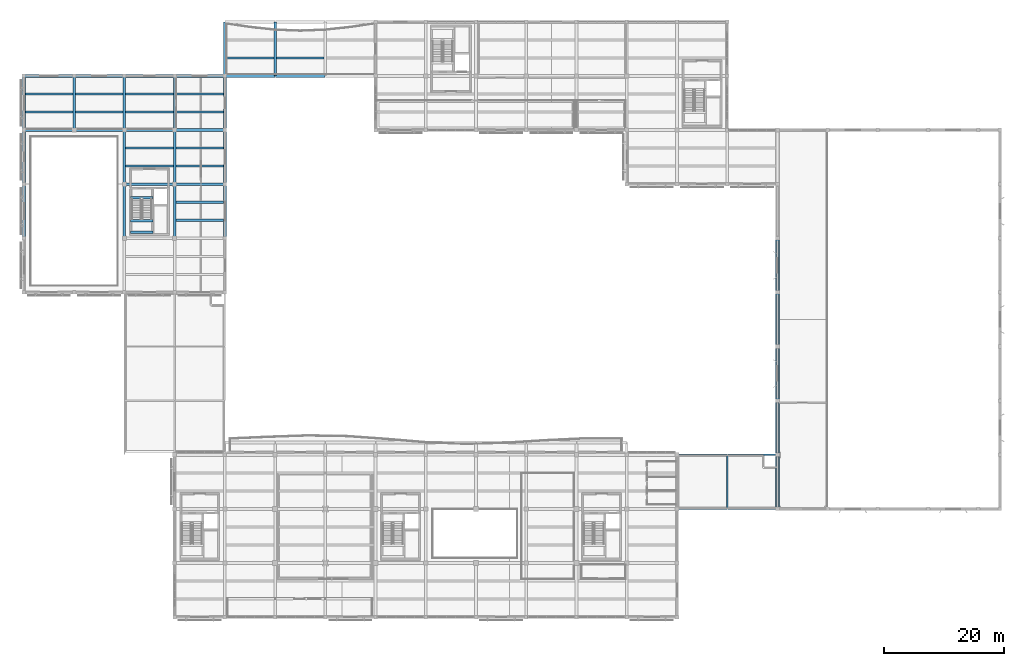
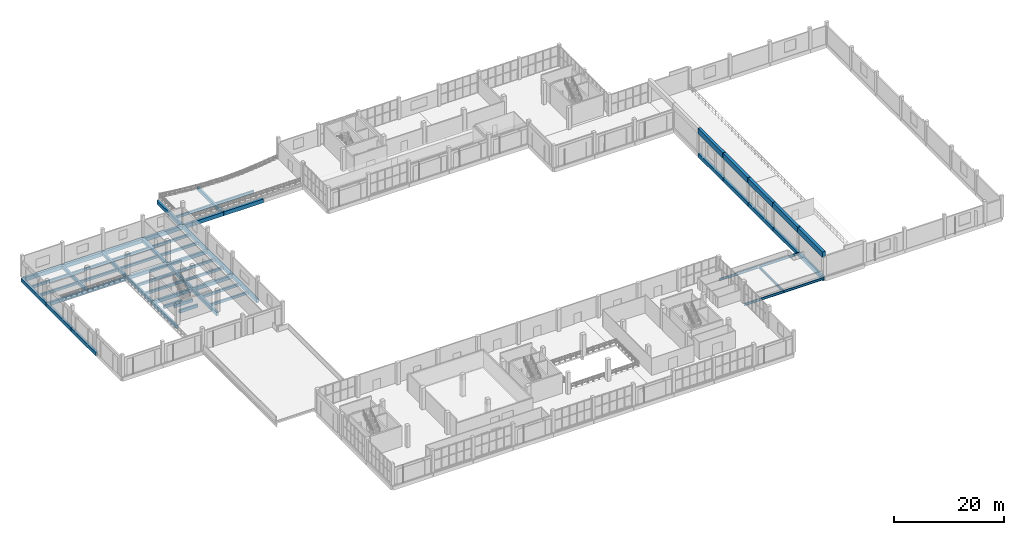
# One storey, part 26 of 80: 61 beams.
"""IFC4 building model written with IfcOpenShell, lengths in metres."""

from ifc_helpers import new_model, si_unit, direction, frame, origin, origin_2d, place, context, subcontext, project, spatial, rectangle, i_section, extrude, material, material_profile, profile_set, type_object, element, save


model = new_model("IFC4")

# Units and contexts
model_context = context("Model", 3, precision=1e-05, world=origin(), true_north=direction((0.0, 1.0)))
body_context = subcontext(model_context, "Body", "Model", "MODEL_VIEW")
ifc_project = project(units=[si_unit("LENGTHUNIT", "METRE"), si_unit("AREAUNIT", "SQUARE_METRE"), si_unit("VOLUMEUNIT", "CUBIC_METRE"), si_unit("PLANEANGLEUNIT", "RADIAN"), si_unit("MASSUNIT", "GRAM", prefix="KILO")], contexts=[model_context])

# Site, building, storey
site_placement = place(None, origin())
site = spatial("IfcSite", under=ifc_project, at=site_placement, CompositionType="ELEMENT")
building_placement = place(site_placement, origin())
building = spatial("IfcBuilding", under=site, at=building_placement, Name="Khurvash Pelagic Aquarium", CompositionType="ELEMENT")
storey_placement = place(building_placement, frame((0.0, 0.0, 10.800048828125)))
storey = spatial("IfcBuildingStorey", under=building, at=storey_placement, Name="L02", CompositionType="ELEMENT", Elevation=10.800048828125)

# Beams
ifc_material_1 = material(Name="Concrete C35/45", Category="concrete")
ifc_material_profile_1 = material_profile(ifc_material_1, rectangle(XDim=0.449951171875, YDim=0.75, at=origin_2d()), Name="RC450X750")
ifc_profile_set_1 = profile_set([ifc_material_profile_1], Name="Concrete C35/45")
beam_type_1 = type_object("IfcBeamType", Name="BM-04", PredefinedType="BEAM", material=ifc_profile_set_1)
beam_1_placement = place(storey_placement, frame((16.840087890625, 75.0, -0.695068359375), z_axis=(1.0, 0.0, 0.0), x_axis=(0.0, 1.0, 0.0)))
element("IfcBeam", 1, at=beam_1_placement, inside=storey, type_object=beam_type_1, Name="L02 Primary Girder BM-04 00607", PredefinedType="BEAM", context=body_context, shape_type="SweptSolid", body=[
    extrude(rectangle(XDim=0.449951171875, YDim=0.75, at=origin_2d()), origin(), (0.0, 0.0, 1.0), 8.31982421875),
])
for number, where, z_axis, x_axis, name in (
    (2, (25.239990234375, 75.0, -0.695068359375), (1.0, 0.0, 0.0), (0.0, 1.0, 0.0), "L02 Primary Girder BM-04 00608"),
    (3, (0.0400390625, 84.050048828125, -0.695068359375), (1.0, 0.0, 0.0), (0.0, 1.0, 0.0), "L02 Primary Girder BM-04 00612"),
    (4, (8.43994140625, 84.050048828125, -0.695068359375), (1.0, 0.0, 0.0), (0.0, 1.0, 0.0), "L02 Primary Girder BM-04 00613"),
):
    element("IfcBeam", number, at=place(storey_placement, frame(where, z_axis=z_axis, x_axis=x_axis)), inside=storey, type_object=beam_type_1, Name=name, PredefinedType="BEAM", context=body_context, shape_type="SweptSolid", body=[
        extrude(rectangle(XDim=0.449951171875, YDim=0.75, at=origin_2d()), origin(), (0.0, 0.0, 1.0), 8.320068359375),
    ])
beam_2_placement = place(storey_placement, frame((16.840087890625, 84.050048828125, -0.695068359375), z_axis=(1.0, 0.0, 0.0), x_axis=(0.0, 1.0, 0.0)))
element("IfcBeam", 5, at=beam_2_placement, inside=storey, type_object=beam_type_1, Name="L02 Primary Girder BM-04 00614", PredefinedType="BEAM", context=body_context, shape_type="SweptSolid", body=[
    extrude(rectangle(XDim=0.449951171875, YDim=0.75, at=origin_2d()), origin(), (0.0, 0.0, 1.0), 8.31982421875),
])
beam_3_placement = place(storey_placement, frame((25.239990234375, 84.050048828125, -0.695068359375), z_axis=(1.0, 0.0, 0.0), x_axis=(0.0, 1.0, 0.0)))
element("IfcBeam", 6, at=beam_3_placement, inside=storey, type_object=beam_type_1, Name="L02 Primary Girder BM-04 00615", PredefinedType="BEAM", context=body_context, shape_type="SweptSolid", body=[
    extrude(rectangle(XDim=0.449951171875, YDim=0.75, at=origin_2d()), origin(), (0.0, 0.0, 1.0), 8.320068359375),
])
for number, where, z_axis, x_axis, name in (
    (7, (8.39990234375, 84.090087890625, -0.675048828125), (0.0, 1.0, 0.0), (-1.0, 0.0, 0.0), "L02 Primary Girder BM-04 00653"),
    (8, (16.800048828125, 65.989990234375, -0.675048828125), (0.0, 1.0, 0.0), (-1.0, 0.0, 0.0), "L02 Primary Girder BM-04 00655"),
    (9, (16.800048828125, 75.0400390625, -0.675048828125), (0.0, 1.0, 0.0), (-1.0, 0.0, 0.0), "L02 Primary Girder BM-04 00656"),
    (10, (16.800048828125, 84.090087890625, -0.675048828125), (0.0, 1.0, 0.0), (-1.0, 0.0, 0.0), "L02 Primary Girder BM-04 00657"),
    (11, (25.199951171875, 65.989990234375, -0.675048828125), (0.0, 1.0, 0.0), (-1.0, 0.0, 0.0), "L02 Primary Girder BM-04 00662"),
    (12, (25.199951171875, 75.0400390625, -0.675048828125), (0.0, 1.0, 0.0), (-1.0, 0.0, 0.0), "L02 Primary Girder BM-04 00663"),
    (13, (25.199951171875, 84.090087890625, -0.675048828125), (0.0, 1.0, 0.0), (-1.0, 0.0, 0.0), "L02 Primary Girder BM-04 00664"),
):
    element("IfcBeam", number, at=place(storey_placement, frame(where, z_axis=z_axis, x_axis=x_axis)), inside=storey, type_object=beam_type_1, Name=name, PredefinedType="BEAM", context=body_context, shape_type="SweptSolid", body=[
        extrude(rectangle(XDim=0.449951171875, YDim=0.75, at=origin_2d()), origin(), (0.0, 0.0, 1.0), 8.969970703125),
    ])
beam_4_placement = place(storey_placement, frame((42.0, 93.139892578125, -0.675048828125), z_axis=(0.0, 1.0, 0.0), x_axis=(-1.0, 0.0, 0.0)))
element("IfcBeam", 14, at=beam_4_placement, inside=storey, type_object=beam_type_1, Name="L02 Primary Girder BM-04 00676", PredefinedType="BEAM", context=body_context, shape_type="SweptSolid", body=[
    extrude(rectangle(XDim=0.449951171875, YDim=0.75, at=origin_2d()), origin(), (0.0, 0.0, 1.0), 8.97021484375),
])
ifc_material_profile_2 = material_profile(ifc_material_1, rectangle(XDim=0.39990234375, YDim=0.64990234375, at=origin_2d()), Name="RC400X650")
ifc_profile_set_2 = profile_set([ifc_material_profile_2], Name="Concrete C35/45")
beam_type_2 = type_object("IfcBeamType", Name="BM-05", PredefinedType="BEAM", material=ifc_profile_set_2)
for number, where, z_axis, x_axis, name in (
    (15, (17.780029296875, 72.72998046875, -0.625), (1.0, 0.0, 0.0), (0.0, 1.0, 0.0), "L02 Stair ST-05 Header Trimmer Beam BM-05"),
    (16, (17.780029296875, 66.969970703125, 1.875), (1.0, 0.0, 0.0), (0.0, 1.0, 0.0), "L02 Stair ST-05 Mid-Landing Trimmer Beam BM-05"),
    (17, (17.780029296875, 68.909912109375, 1.875), (1.0, 0.0, 0.0), (0.0, 1.0, 0.0), "L02 Stair ST-05 Mid-Landing Trimmer Beam BM-05"),
):
    element("IfcBeam", number, at=place(storey_placement, frame(where, z_axis=z_axis, x_axis=x_axis)), inside=storey, type_object=beam_type_2, Name=name, PredefinedType="BEAM", context=body_context, shape_type="SweptSolid", body=[
        extrude(rectangle(XDim=0.39990234375, YDim=0.64990234375, at=origin_2d()), origin(), (0.0, 0.0, 1.0), 3.840087890625),
    ])
ifc_material_2 = material(Name="Steel ASTM A992 Grade 50", Category="steel")
ifc_material_profile_3 = material_profile(ifc_material_2, i_section(OverallWidth=0.214111328125, OverallDepth=0.549072265625, WebThickness=0.0146484375, FlangeThickness=0.023681640625, at=origin_2d()), Name="W21X93")
ifc_profile_set_3 = profile_set([ifc_material_profile_3], Name="Steel ASTM A992 Grade 50")
beam_type_3 = type_object("IfcBeamType", Name="BM-11", PredefinedType="BEAM", material=ifc_profile_set_3)
for number, where, z_axis, x_axis, name in (
    (18, (109.239990234375, 20.699951171875, -0.594482421875), (1.0, 0.0, 0.0), (0.0, 1.0, 0.0), "L02 Roof Girder BM-11 01220"),
    (19, (117.639892578125, 20.699951171875, -0.594482421875), (1.0, 0.0, 0.0), (0.0, 1.0, 0.0), "L02 Roof Girder BM-11 01221"),
    (20, (109.239990234375, 29.75, -0.594482421875), (1.0, 0.0, 0.0), (0.0, 1.0, 0.0), "L02 Roof Girder BM-11 01222"),
    (21, (117.639892578125, 29.75, -0.594482421875), (1.0, 0.0, 0.0), (0.0, 1.0, 0.0), "L02 Roof Girder BM-11 01223"),
):
    element("IfcBeam", number, at=place(storey_placement, frame(where, z_axis=z_axis, x_axis=x_axis)), inside=storey, type_object=beam_type_3, Name=name, PredefinedType="BEAM", context=body_context, shape_type="SweptSolid", body=[
        extrude(i_section(OverallWidth=0.214111328125, OverallDepth=0.549072265625, WebThickness=0.0146484375, FlangeThickness=0.023681640625, at=origin_2d()), origin(), (0.0, 0.0, 1.0), 8.320068359375),
    ])
beam_5_placement = place(storey_placement, frame((117.60009765625, 20.739990234375, -0.594482421875), z_axis=(0.0, 1.0, 0.0), x_axis=(-1.0, 0.0, 0.0)))
element("IfcBeam", 22, at=beam_5_placement, inside=storey, type_object=beam_type_3, Name="L02 Roof Girder BM-11 01236", PredefinedType="BEAM", context=body_context, shape_type="SweptSolid", body=[
    extrude(i_section(OverallWidth=0.214111328125, OverallDepth=0.549072265625, WebThickness=0.0146484375, FlangeThickness=0.023681640625, at=origin_2d()), origin(), (0.0, 0.0, 1.0), 8.969970703125),
])
ifc_material_profile_4 = material_profile(ifc_material_1, rectangle(XDim=0.35009765625, YDim=0.550048828125, at=origin_2d()), Name="RC350X550")
ifc_profile_set_4 = profile_set([ifc_material_profile_4], Name="Concrete C35/45")
beam_type_4 = type_object("IfcBeamType", Name="JS-01", PredefinedType="JOIST", material=ifc_profile_set_4)
for number, where, z_axis, x_axis, name in (
    (23, (0.25, 87.06689453125, -0.574951171875), (1.0, 0.0, 0.0), (0.0, 1.0, 0.0), "L02 Floor Joist JS-01 00727"),
    (24, (0.25, 90.0830078125, -0.574951171875), (1.0, 0.0, 0.0), (0.0, 1.0, 0.0), "L02 Floor Joist JS-01 00728"),
):
    element("IfcBeam", number, at=place(storey_placement, frame(where, z_axis=z_axis, x_axis=x_axis)), inside=storey, type_object=beam_type_4, Name=name, PredefinedType="JOIST", context=body_context, shape_type="SweptSolid", body=[
        extrude(rectangle(XDim=0.35009765625, YDim=0.550048828125, at=origin_2d()), origin(), (0.0, 0.0, 1.0), 7.925048828125),
    ])
for number, where, z_axis, x_axis, name in (
    (25, (8.625, 87.06689453125, -0.574951171875), (1.0, 0.0, 0.0), (0.0, 1.0, 0.0), "L02 Floor Joist JS-01 00729"),
    (26, (8.625, 90.0830078125, -0.574951171875), (1.0, 0.0, 0.0), (0.0, 1.0, 0.0), "L02 Floor Joist JS-01 00730"),
):
    element("IfcBeam", number, at=place(storey_placement, frame(where, z_axis=z_axis, x_axis=x_axis)), inside=storey, type_object=beam_type_4, Name=name, PredefinedType="JOIST", context=body_context, shape_type="SweptSolid", body=[
        extrude(rectangle(XDim=0.35009765625, YDim=0.550048828125, at=origin_2d()), origin(), (0.0, 0.0, 1.0), 7.949951171875),
    ])
for number, where, z_axis, x_axis, name in (
    (27, (17.02490234375, 78.01708984375, -0.574951171875), (1.0, 0.0, 0.0), (0.0, 1.0, 0.0), "L02 Floor Joist JS-01 00733"),
    (28, (17.02490234375, 81.032958984375, -0.574951171875), (1.0, 0.0, 0.0), (0.0, 1.0, 0.0), "L02 Floor Joist JS-01 00734"),
    (29, (17.02490234375, 87.06689453125, -0.574951171875), (1.0, 0.0, 0.0), (0.0, 1.0, 0.0), "L02 Floor Joist JS-01 00735"),
    (30, (17.02490234375, 90.0830078125, -0.574951171875), (1.0, 0.0, 0.0), (0.0, 1.0, 0.0), "L02 Floor Joist JS-01 00736"),
):
    element("IfcBeam", number, at=place(storey_placement, frame(where, z_axis=z_axis, x_axis=x_axis)), inside=storey, type_object=beam_type_4, Name=name, PredefinedType="JOIST", context=body_context, shape_type="SweptSolid", body=[
        extrude(rectangle(XDim=0.35009765625, YDim=0.550048828125, at=origin_2d()), origin(), (0.0, 0.0, 1.0), 7.9501953125),
    ])
for number, where, z_axis, x_axis, name in (
    (31, (25.425048828125, 68.967041015625, -0.574951171875), (1.0, 0.0, 0.0), (0.0, 1.0, 0.0), "L02 Floor Joist JS-01 00743"),
    (32, (25.425048828125, 71.98291015625, -0.574951171875), (1.0, 0.0, 0.0), (0.0, 1.0, 0.0), "L02 Floor Joist JS-01 00744"),
    (33, (25.425048828125, 78.01708984375, -0.574951171875), (1.0, 0.0, 0.0), (0.0, 1.0, 0.0), "L02 Floor Joist JS-01 00745"),
    (34, (25.425048828125, 81.032958984375, -0.574951171875), (1.0, 0.0, 0.0), (0.0, 1.0, 0.0), "L02 Floor Joist JS-01 00746"),
    (35, (25.425048828125, 87.06689453125, -0.574951171875), (1.0, 0.0, 0.0), (0.0, 1.0, 0.0), "L02 Floor Joist JS-01 00747"),
    (36, (25.425048828125, 90.0830078125, -0.574951171875), (1.0, 0.0, 0.0), (0.0, 1.0, 0.0), "L02 Floor Joist JS-01 00748"),
):
    element("IfcBeam", number, at=place(storey_placement, frame(where, z_axis=z_axis, x_axis=x_axis)), inside=storey, type_object=beam_type_4, Name=name, PredefinedType="JOIST", context=body_context, shape_type="SweptSolid", body=[
        extrude(rectangle(XDim=0.35009765625, YDim=0.550048828125, at=origin_2d()), origin(), (0.0, 0.0, 1.0), 7.925048828125),
    ])
beam_6_placement = place(storey_placement, frame((33.85009765625, 96.116943359375, -0.574951171875), z_axis=(1.0, 0.0, 0.0), x_axis=(0.0, 1.0, 0.0)))
element("IfcBeam", 37, at=beam_6_placement, inside=storey, type_object=beam_type_4, Name="L02 Floor Joist JS-01 00755", PredefinedType="JOIST", context=body_context, shape_type="SweptSolid", body=[
    extrude(rectangle(XDim=0.35009765625, YDim=0.550048828125, at=origin_2d()), origin(), (0.0, 0.0, 1.0), 7.9248046875),
])
beam_7_placement = place(storey_placement, frame((42.22509765625, 96.116943359375, -0.574951171875), z_axis=(1.0, 0.0, 0.0), x_axis=(0.0, 1.0, 0.0)))
element("IfcBeam", 38, at=beam_7_placement, inside=storey, type_object=beam_type_4, Name="L02 Floor Joist JS-01 00763", PredefinedType="JOIST", context=body_context, shape_type="SweptSolid", body=[
    extrude(rectangle(XDim=0.35009765625, YDim=0.550048828125, at=origin_2d()), origin(), (0.0, 0.0, 1.0), 7.949951171875),
])
ifc_material_3 = material(Name="Concrete C40/50", Category="concrete")
ifc_material_profile_5 = material_profile(ifc_material_3, rectangle(XDim=0.60009765625, YDim=1.199951171875, at=origin_2d()), Name="RC600X1200")
ifc_profile_set_5 = profile_set([ifc_material_profile_5], Name="Concrete C40/50")
beam_type_5 = type_object("IfcBeamType", Name="SEB-01", PredefinedType="SPANDREL", material=ifc_profile_set_5)
for number, where, z_axis, x_axis, name in (
    (39, (126.0, 20.739990234375, 4.64990234375), (0.0, 1.0, 0.0), (-1.0, 0.0, 0.0), "Wave Shell West Springing Spandrel Edge Beam SEB-01 1"),
    (40, (126.0, 29.7900390625, 4.64990234375), (0.0, 1.0, 0.0), (-1.0, 0.0, 0.0), "Wave Shell West Springing Spandrel Edge Beam SEB-01 2"),
    (41, (126.0, 38.840087890625, 4.64990234375), (0.0, 1.0, 0.0), (-1.0, 0.0, 0.0), "Wave Shell West Springing Spandrel Edge Beam SEB-01 3"),
):
    element("IfcBeam", number, at=place(storey_placement, frame(where, z_axis=z_axis, x_axis=x_axis)), inside=storey, type_object=beam_type_5, Name=name, PredefinedType="SPANDREL", context=body_context, shape_type="SweptSolid", body=[
        extrude(rectangle(XDim=0.60009765625, YDim=1.199951171875, at=origin_2d()), origin(), (0.0, 0.0, 1.0), 8.969970703125),
    ])
beam_8_placement = place(storey_placement, frame((126.0, 47.889892578125, 4.64990234375), z_axis=(0.0, 1.0, 0.0), x_axis=(-1.0, 0.0, 0.0)))
element("IfcBeam", 42, at=beam_8_placement, inside=storey, type_object=beam_type_5, Name="Wave Shell West Springing Spandrel Edge Beam SEB-01 4", PredefinedType="SPANDREL", context=body_context, shape_type="SweptSolid", body=[
    extrude(rectangle(XDim=0.60009765625, YDim=1.199951171875, at=origin_2d()), origin(), (0.0, 0.0, 1.0), 8.97021484375),
])
beam_9_placement = place(storey_placement, frame((126.0, 56.93994140625, 4.64990234375), z_axis=(0.0, 1.0, 0.0), x_axis=(-1.0, 0.0, 0.0)))
element("IfcBeam", 43, at=beam_9_placement, inside=storey, type_object=beam_type_5, Name="Wave Shell West Springing Spandrel Edge Beam SEB-01 5", PredefinedType="SPANDREL", context=body_context, shape_type="SweptSolid", body=[
    extrude(rectangle(XDim=0.60009765625, YDim=1.199951171875, at=origin_2d()), origin(), (0.0, 0.0, 1.0), 8.969970703125),
])
ifc_material_profile_6 = material_profile(ifc_material_3, rectangle(XDim=0.5, YDim=0.85009765625, at=origin_2d()), Name="RC500X850")
ifc_profile_set_6 = profile_set([ifc_material_profile_6], Name="Concrete C40/50")
beam_type_6 = type_object("IfcBeamType", Name="SEB-03", PredefinedType="SPANDREL", material=ifc_profile_set_6)
for number, where, z_axis, x_axis, name in (
    (44, (0.0400390625, 93.10009765625, -0.7451171875), (1.0, 0.0, 0.0), (0.0, 1.0, 0.0), "L02 Primary Girder SEB-03 00625"),
    (45, (8.43994140625, 93.10009765625, -0.7451171875), (1.0, 0.0, 0.0), (0.0, 1.0, 0.0), "L02 Primary Girder SEB-03 00626"),
):
    element("IfcBeam", number, at=place(storey_placement, frame(where, z_axis=z_axis, x_axis=x_axis)), inside=storey, type_object=beam_type_6, Name=name, PredefinedType="SPANDREL", context=body_context, shape_type="SweptSolid", body=[
        extrude(rectangle(XDim=0.5, YDim=0.85009765625, at=origin_2d()), origin(), (0.0, 0.0, 1.0), 8.320068359375),
    ])
beam_10_placement = place(storey_placement, frame((16.840087890625, 93.10009765625, -0.7451171875), z_axis=(1.0, 0.0, 0.0), x_axis=(0.0, 1.0, 0.0)))
element("IfcBeam", 46, at=beam_10_placement, inside=storey, type_object=beam_type_6, Name="L02 Primary Girder SEB-03 00627", PredefinedType="SPANDREL", context=body_context, shape_type="SweptSolid", body=[
    extrude(rectangle(XDim=0.5, YDim=0.85009765625, at=origin_2d()), origin(), (0.0, 0.0, 1.0), 8.31982421875),
])
for number, where, z_axis, x_axis, name in (
    (47, (25.239990234375, 93.10009765625, -0.7451171875), (1.0, 0.0, 0.0), (0.0, 1.0, 0.0), "L02 Primary Girder SEB-03 00628"),
    (48, (33.639892578125, 93.10009765625, -0.7451171875), (1.0, 0.0, 0.0), (0.0, 1.0, 0.0), "L02 Primary Girder SEB-03 00629"),
    (49, (42.0400390625, 93.10009765625, -0.7451171875), (1.0, 0.0, 0.0), (0.0, 1.0, 0.0), "L02 Primary Girder SEB-03 00630"),
):
    element("IfcBeam", number, at=place(storey_placement, frame(where, z_axis=z_axis, x_axis=x_axis)), inside=storey, type_object=beam_type_6, Name=name, PredefinedType="SPANDREL", context=body_context, shape_type="SweptSolid", body=[
        extrude(rectangle(XDim=0.5, YDim=0.85009765625, at=origin_2d()), origin(), (0.0, 0.0, 1.0), 8.320068359375),
    ])
for number, where, z_axis, x_axis, name in (
    (50, (0.0, 65.989990234375, -0.72509765625), (0.0, 1.0, 0.0), (-1.0, 0.0, 0.0), "L02 Primary Girder SEB-03 00650"),
    (51, (0.0, 75.0400390625, -0.72509765625), (0.0, 1.0, 0.0), (-1.0, 0.0, 0.0), "L02 Primary Girder SEB-03 00651"),
    (52, (0.0, 84.090087890625, -0.72509765625), (0.0, 1.0, 0.0), (-1.0, 0.0, 0.0), "L02 Primary Girder SEB-03 00652"),
    (53, (33.60009765625, 65.989990234375, -0.72509765625), (0.0, 1.0, 0.0), (-1.0, 0.0, 0.0), "L02 Primary Girder SEB-03 00669"),
    (54, (33.60009765625, 75.0400390625, -0.72509765625), (0.0, 1.0, 0.0), (-1.0, 0.0, 0.0), "L02 Primary Girder SEB-03 00670"),
    (55, (33.60009765625, 84.090087890625, -0.72509765625), (0.0, 1.0, 0.0), (-1.0, 0.0, 0.0), "L02 Primary Girder SEB-03 00671"),
):
    element("IfcBeam", number, at=place(storey_placement, frame(where, z_axis=z_axis, x_axis=x_axis)), inside=storey, type_object=beam_type_6, Name=name, PredefinedType="SPANDREL", context=body_context, shape_type="SweptSolid", body=[
        extrude(rectangle(XDim=0.5, YDim=0.85009765625, at=origin_2d()), origin(), (0.0, 0.0, 1.0), 8.969970703125),
    ])
beam_11_placement = place(storey_placement, frame((33.60009765625, 93.139892578125, -0.72509765625), z_axis=(0.0, 1.0, 0.0), x_axis=(-1.0, 0.0, 0.0)))
element("IfcBeam", 56, at=beam_11_placement, inside=storey, type_object=beam_type_6, Name="L02 Primary Girder SEB-03 00672", PredefinedType="SPANDREL", context=body_context, shape_type="SweptSolid", body=[
    extrude(rectangle(XDim=0.5, YDim=0.85009765625, at=origin_2d()), origin(), (0.0, 0.0, 1.0), 8.97021484375),
])
for number, where, z_axis, x_axis, name in (
    (57, (126.0, 20.739990234375, -0.72509765625), (0.0, 1.0, 0.0), (-1.0, 0.0, 0.0), "L02 Primary Girder SEB-03 00720"),
    (58, (126.0, 29.7900390625, -0.72509765625), (0.0, 1.0, 0.0), (-1.0, 0.0, 0.0), "L02 Primary Girder SEB-03 00721"),
    (59, (126.0, 38.840087890625, -0.72509765625), (0.0, 1.0, 0.0), (-1.0, 0.0, 0.0), "L02 Primary Girder SEB-03 00722"),
):
    element("IfcBeam", number, at=place(storey_placement, frame(where, z_axis=z_axis, x_axis=x_axis)), inside=storey, type_object=beam_type_6, Name=name, PredefinedType="SPANDREL", context=body_context, shape_type="SweptSolid", body=[
        extrude(rectangle(XDim=0.5, YDim=0.85009765625, at=origin_2d()), origin(), (0.0, 0.0, 1.0), 8.969970703125),
    ])
beam_12_placement = place(storey_placement, frame((126.0, 47.889892578125, -0.72509765625), z_axis=(0.0, 1.0, 0.0), x_axis=(-1.0, 0.0, 0.0)))
element("IfcBeam", 60, at=beam_12_placement, inside=storey, type_object=beam_type_6, Name="L02 Primary Girder SEB-03 00723", PredefinedType="SPANDREL", context=body_context, shape_type="SweptSolid", body=[
    extrude(rectangle(XDim=0.5, YDim=0.85009765625, at=origin_2d()), origin(), (0.0, 0.0, 1.0), 8.97021484375),
])
beam_13_placement = place(storey_placement, frame((126.0, 56.93994140625, -0.72509765625), z_axis=(0.0, 1.0, 0.0), x_axis=(-1.0, 0.0, 0.0)))
element("IfcBeam", 61, at=beam_13_placement, inside=storey, type_object=beam_type_6, Name="L02 Primary Girder SEB-03 00724", PredefinedType="SPANDREL", context=body_context, shape_type="SweptSolid", body=[
    extrude(rectangle(XDim=0.5, YDim=0.85009765625, at=origin_2d()), origin(), (0.0, 0.0, 1.0), 8.969970703125),
])

save(model, "model.ifc")
